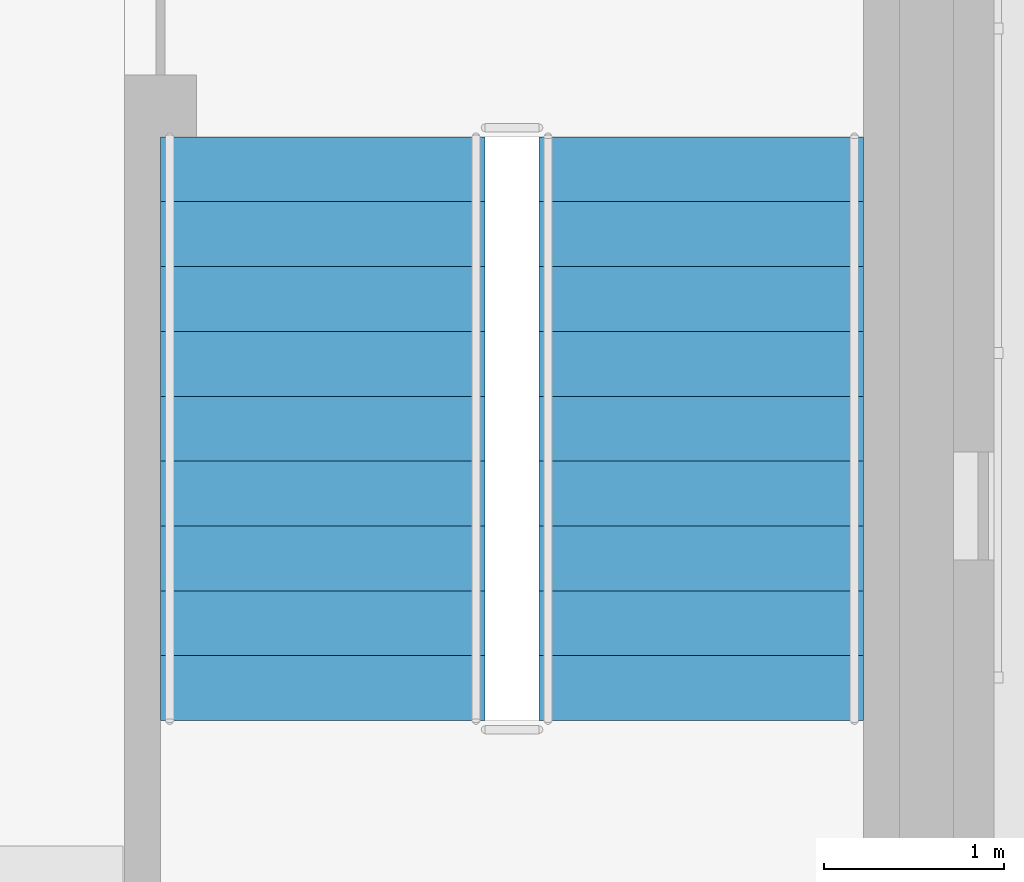
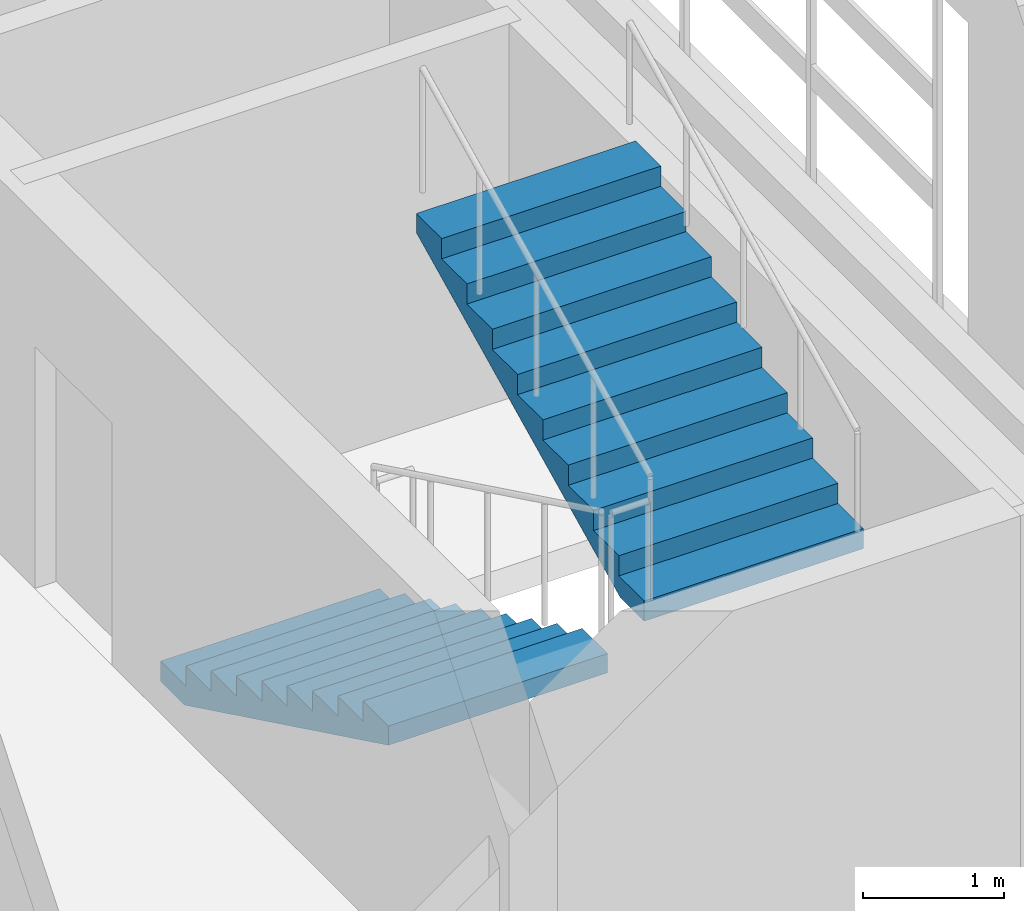
# One storey, part 13 of 21: 2 stair flights, 1 element without a shape of its own.
"""IFC4 building model written with IfcOpenShell, lengths in metres."""

from ifc_helpers import new_model, si_unit, direction, frame, origin, place, context, subcontext, project, spatial, polyline, outline, extrude, material, type_object, element, aggregate, save


model = new_model("IFC4")

# Units and contexts
model_context = context("Model", 3, precision=1e-05, world=origin(), true_north=direction((0.0, 1.0)))
body_context = subcontext(model_context, "Body", "Model", "MODEL_VIEW")
ifc_project = project(units=[si_unit("LENGTHUNIT", "METRE"), si_unit("AREAUNIT", "SQUARE_METRE"), si_unit("VOLUMEUNIT", "CUBIC_METRE"), si_unit("PLANEANGLEUNIT", "RADIAN"), si_unit("MASSUNIT", "GRAM", prefix="KILO")], contexts=[model_context])

# Site, building, storey
site_placement = place(None, origin())
site = spatial("IfcSite", under=ifc_project, at=site_placement, CompositionType="ELEMENT")
building_placement = place(site_placement, origin())
building = spatial("IfcBuilding", under=site, at=building_placement, Name="Cobrizo Arcos Hotel Tower", CompositionType="ELEMENT")
storey_placement = place(building_placement, frame((0.0, 0.0, 269.0)))
storey = spatial("IfcBuildingStorey", under=building, at=storey_placement, Name="L71", CompositionType="ELEMENT", Elevation=269.0)

# Stair, stair flights
ifc_material = material(Name="Concrete f'c 40 MPa", Category="concrete")
stair_type = type_object("IfcStairType", Name="Exit stair", PredefinedType="HALF_TURN_STAIR", material=ifc_material)
stair_placement = place(storey_placement, origin())
stair = element("IfcStair", 1, at=stair_placement, inside=storey, type_object=stair_type, Name="L71 Exit stair ST-E", PredefinedType="HALF_TURN_STAIR")
stair_flight_type = type_object("IfcStairFlightType", Name="Exit stair flight", PredefinedType="STRAIGHT", material=ifc_material)
stair_flight_1_placement = place(storey_placement, frame((16.89990234375, -5.5, 0.0), z_axis=(0.0, 0.0, 1.0), x_axis=(0.0, -1.0, 0.0)))
stair_flight_1 = element("IfcStairFlight", 2, at=stair_flight_1_placement, type_object=stair_flight_type, Name="ST-E flight 1", NumberOfRisers=10, NumberOfTreads=9, PredefinedType="STRAIGHT", RiserHeight=0.175, TreadLength=0.36, context=body_context, shape_type="SweptSolid", body=[
    extrude(outline(polyline([(0.0, 0.0), (0.0, 0.175048828125), (0.360107421875, 0.175048828125), (0.360107421875, 0.35009765625), (0.719970703125, 0.35009765625), (0.719970703125, 0.52490234375), (1.080078125, 0.52490234375), (1.080078125, 0.699951171875), (1.43994140625, 0.699951171875), (1.43994140625, 0.875), (1.800048828125, 0.875), (1.800048828125, 1.050048828125), (2.159912109375, 1.050048828125), (2.159912109375, 1.22509765625), (2.52001953125, 1.22509765625), (2.52001953125, 1.39990234375), (2.8798828125, 1.39990234375), (2.8798828125, 1.574951171875), (3.239990234375, 1.574951171875), (3.239990234375, 1.75), (3.239990234375, 1.408203125), (0.3427734375, 0.0), (0.0, 0.0)])), frame((0.0, 0.89990234375, 0.0), z_axis=(0.0, -1.0, 0.0), x_axis=(1.0, 0.0, 0.0)), (0.0, 0.0, 1.0), 1.800048828125),
])
stair_flight_2_placement = place(storey_placement, frame((19.0, -8.739990234375, 1.75), z_axis=(0.0, 0.0, 1.0), x_axis=(0.0, 1.0, 0.0)))
stair_flight_2 = element("IfcStairFlight", 3, at=stair_flight_2_placement, type_object=stair_flight_type, Name="ST-E flight 2", NumberOfRisers=10, NumberOfTreads=9, PredefinedType="STRAIGHT", RiserHeight=0.175, TreadLength=0.36, context=body_context, shape_type="SweptSolid", body=[
    extrude(outline(polyline([(0.0, 0.0), (0.0, 0.175048828125), (0.360107421875, 0.175048828125), (0.360107421875, 0.35009765625), (0.719970703125, 0.35009765625), (0.719970703125, 0.52490234375), (1.080078125, 0.52490234375), (1.080078125, 0.699951171875), (1.43994140625, 0.699951171875), (1.43994140625, 0.875), (1.800048828125, 0.875), (1.800048828125, 1.050048828125), (2.159912109375, 1.050048828125), (2.159912109375, 1.22509765625), (2.52001953125, 1.22509765625), (2.52001953125, 1.39990234375), (2.8798828125, 1.39990234375), (2.8798828125, 1.574951171875), (3.239990234375, 1.574951171875), (3.239990234375, 1.75), (3.239990234375, 1.408203125), (0.3427734375, 0.0), (0.0, 0.0)])), frame((0.0, 0.89990234375, 0.0), z_axis=(0.0, -1.0, 0.0), x_axis=(1.0, 0.0, 0.0)), (0.0, 0.0, 1.0), 1.800048828125),
])
aggregate(stair, [stair_flight_1, stair_flight_2])

save(model, "model.ifc")
